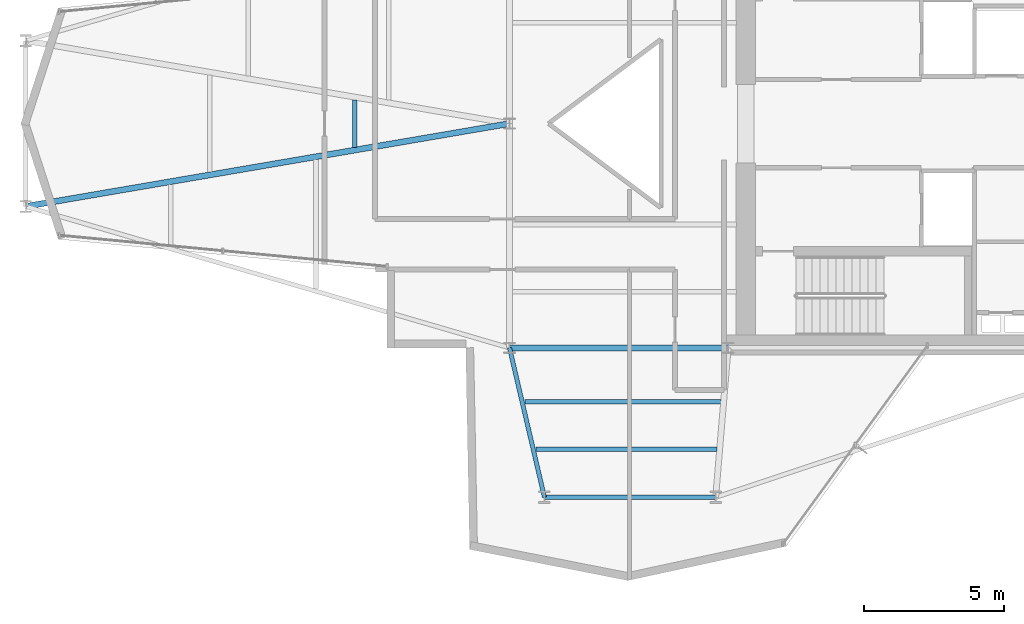
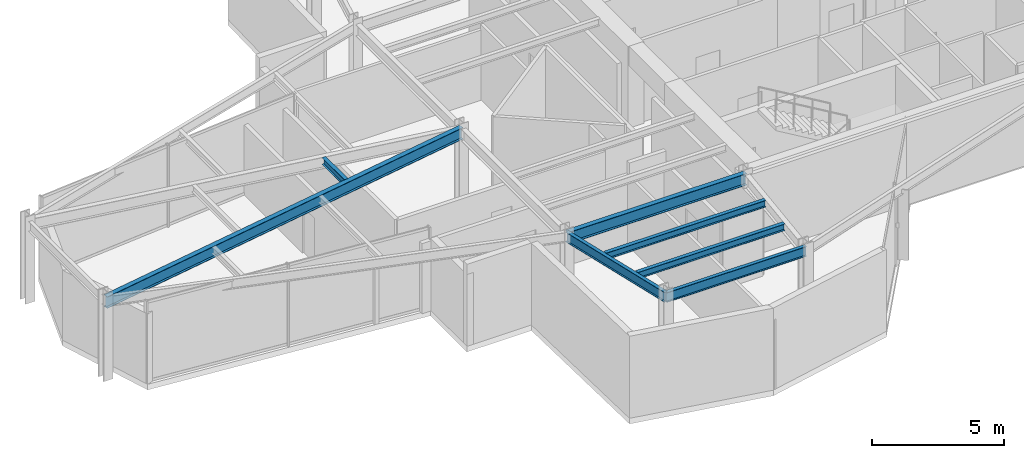
# One storey, part 5 of 21: 7 beams.
"""IFC4 building model written with IfcOpenShell, lengths in metres."""

from ifc_helpers import new_model, si_unit, direction, frame, origin, origin_2d, place, context, subcontext, project, spatial, i_section, extrude, material, material_profile, profile_set, type_object, element, save


model = new_model("IFC4")

# Units and contexts
model_context = context("Model", 3, precision=1e-05, world=origin(), true_north=direction((0.0, 1.0)))
body_context = subcontext(model_context, "Body", "Model", "MODEL_VIEW")
ifc_project = project(units=[si_unit("LENGTHUNIT", "METRE"), si_unit("AREAUNIT", "SQUARE_METRE"), si_unit("VOLUMEUNIT", "CUBIC_METRE"), si_unit("PLANEANGLEUNIT", "RADIAN"), si_unit("MASSUNIT", "GRAM", prefix="KILO")], contexts=[model_context])

# Site, building, storey
site_placement = place(None, origin())
site = spatial("IfcSite", under=ifc_project, at=site_placement, CompositionType="ELEMENT")
building_placement = place(site_placement, origin())
building = spatial("IfcBuilding", under=site, at=building_placement, Name="Veymaron Broadcast Tower", CompositionType="ELEMENT")
storey_placement = place(building_placement, frame((0.0, 0.0, 228.300048828125)))
storey = spatial("IfcBuildingStorey", under=building, at=storey_placement, Name="L53", CompositionType="ELEMENT", Elevation=228.300048828125)

# Beams
ifc_material = material(Name="Structural steel ASTM A992 Gr 50", Category="steel")
ifc_material_profile_1 = material_profile(ifc_material, i_section(OverallWidth=0.2099609375, OverallDepth=0.537109375, WebThickness=0.010986328125, FlangeThickness=0.017333984375, at=origin_2d()), Name="W530X101")
ifc_profile_set_1 = profile_set([ifc_material_profile_1], Name="Structural steel ASTM A992 Gr 50")
beam_type_1 = type_object("IfcBeamType", Name="BM-FG3", PredefinedType="BEAM", material=ifc_profile_set_1)
beam_1_placement = place(storey_placement, frame((31.199951171875, 16.0, 3.521484375), z_axis=(1.0, 0.0, 0.0), x_axis=(0.0, 1.0, 0.0)))
element("IfcBeam", 1, at=beam_1_placement, inside=storey, type_object=beam_type_1, Name="L53 primary structural floor girder", PredefinedType="BEAM", context=body_context, shape_type="SweptSolid", body=[
    extrude(i_section(OverallWidth=0.2099609375, OverallDepth=0.537109375, WebThickness=0.010986328125, FlangeThickness=0.017333984375, at=origin_2d()), origin(), (0.0, 0.0, 1.0), 7.800048828125),
])
beam_2_placement = place(storey_placement, frame((13.94091796875, 21.044921875, 3.521484375), z_axis=(0.985656599332, 0.168763349671, 0.0), x_axis=(-0.168763349671, 0.985656599332, 0.0)))
element("IfcBeam", 2, at=beam_2_placement, inside=storey, type_object=beam_type_1, Name="L53 primary structural floor girder", PredefinedType="BEAM", context=body_context, shape_type="SweptSolid", body=[
    extrude(i_section(OverallWidth=0.2099609375, OverallDepth=0.537109375, WebThickness=0.010986328125, FlangeThickness=0.017333984375, at=origin_2d()), origin(), (0.0, 0.0, 1.0), 17.51025390625),
])
ifc_material_profile_2 = material_profile(ifc_material, i_section(OverallWidth=0.1650390625, OverallDepth=0.31005859375, WebThickness=0.005859375, FlangeThickness=0.009765625, at=origin_2d()), Name="W310X39")
ifc_profile_set_2 = profile_set([ifc_material_profile_2], Name="Structural steel ASTM A992 Gr 50")
beam_type_2 = type_object("IfcBeamType", Name="BM-JS3", PredefinedType="JOIST", material=ifc_profile_set_2)
beam_3_placement = place(storey_placement, frame((25.677001953125, 23.154296875, 3.635009765625), z_axis=(0.0, 1.0, 0.0), x_axis=(-1.0, 0.0, 0.0)))
element("IfcBeam", 3, at=beam_3_placement, inside=storey, type_object=beam_type_2, Name="L53 Arm-A secondary joist 2M", PredefinedType="JOIST", context=body_context, shape_type="SweptSolid", body=[
    extrude(i_section(OverallWidth=0.1650390625, OverallDepth=0.31005859375, WebThickness=0.005859375, FlangeThickness=0.009765625, at=origin_2d()), origin(), (0.0, 0.0, 1.0), 1.69140625),
])
beam_4_placement = place(storey_placement, frame((31.74853515625, 14.081298828125, 3.635009765625), z_axis=(1.0, 0.0, 0.0), x_axis=(0.0, 1.0, 0.0)))
element("IfcBeam", 4, at=beam_4_placement, inside=storey, type_object=beam_type_2, Name="L53 Arm-C secondary joist 1", PredefinedType="JOIST", context=body_context, shape_type="SweptSolid", body=[
    extrude(i_section(OverallWidth=0.1650390625, OverallDepth=0.31005859375, WebThickness=0.005859375, FlangeThickness=0.009765625, at=origin_2d()), origin(), (0.0, 0.0, 1.0), 6.9912109375),
])
beam_5_placement = place(storey_placement, frame((32.147216796875, 12.37548828125, 3.635009765625), z_axis=(1.0, 0.0, 0.0), x_axis=(0.0, 1.0, 0.0)))
element("IfcBeam", 5, at=beam_5_placement, inside=storey, type_object=beam_type_2, Name="L53 Arm-C secondary joist 2", PredefinedType="JOIST", context=body_context, shape_type="SweptSolid", body=[
    extrude(i_section(OverallWidth=0.1650390625, OverallDepth=0.31005859375, WebThickness=0.005859375, FlangeThickness=0.009765625, at=origin_2d()), origin(), (0.0, 0.0, 1.0), 6.4501953125),
])
ifc_material_profile_3 = material_profile(ifc_material, i_section(OverallWidth=0.154052734375, OverallDepth=0.458984375, WebThickness=0.009033203125, FlangeThickness=0.015380859375, at=origin_2d()), Name="W460X68")
ifc_profile_set_3 = profile_set([ifc_material_profile_3], Name="Structural steel ASTM A992 Gr 50")
beam_type_3 = type_object("IfcBeamType", Name="BM-SP2", PredefinedType="SPANDREL", material=ifc_profile_set_3)
beam_6_placement = place(storey_placement, frame((31.199951171875, 16.0, 3.560546875), z_axis=(0.227646942329, -0.973743739209, 0.0), x_axis=(0.973743739209, 0.227646942329, 0.0)))
element("IfcBeam", 6, at=beam_6_placement, inside=storey, type_object=beam_type_3, Name="L53 primary structural floor girder", PredefinedType="SPANDREL", context=body_context, shape_type="SweptSolid", body=[
    extrude(i_section(OverallWidth=0.154052734375, OverallDepth=0.458984375, WebThickness=0.009033203125, FlangeThickness=0.015380859375, at=origin_2d()), origin(), (0.0, 0.0, 1.0), 5.473876953125),
])
beam_7_placement = place(storey_placement, frame((32.446044921875, 10.669921875, 3.560546875), z_axis=(1.0, 0.0, 0.0), x_axis=(0.0, 1.0, 0.0)))
element("IfcBeam", 7, at=beam_7_placement, inside=storey, type_object=beam_type_3, Name="L53 primary structural floor girder", PredefinedType="SPANDREL", context=body_context, shape_type="SweptSolid", body=[
    extrude(i_section(OverallWidth=0.154052734375, OverallDepth=0.458984375, WebThickness=0.009033203125, FlangeThickness=0.015380859375, at=origin_2d()), origin(), (0.0, 0.0, 1.0), 6.10888671875),
])

save(model, "model.ifc")
